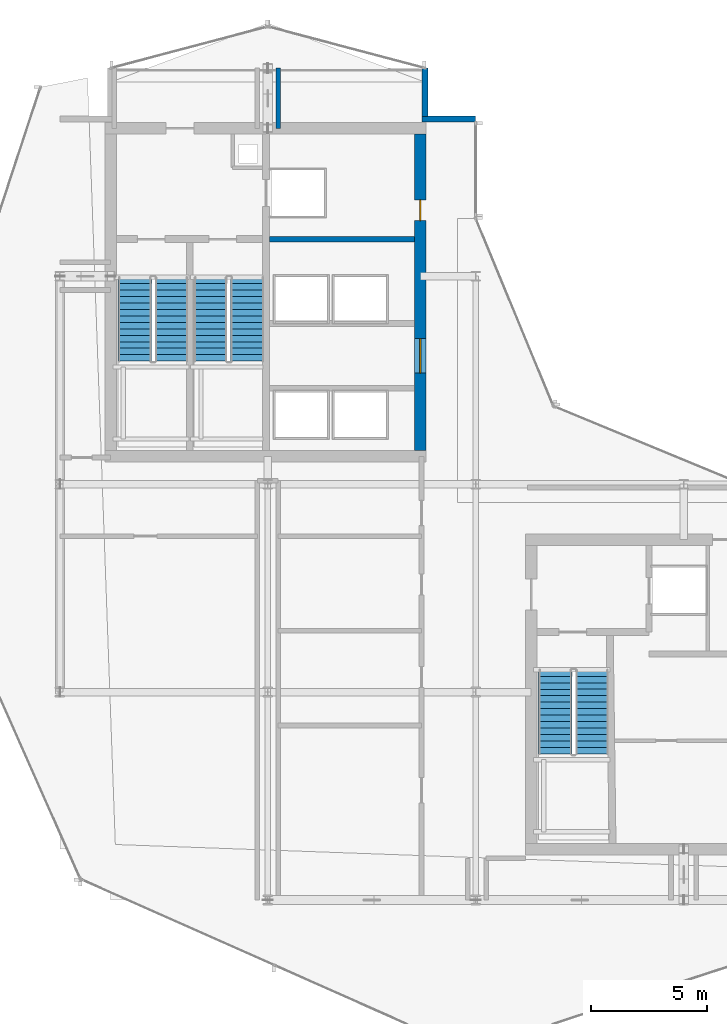
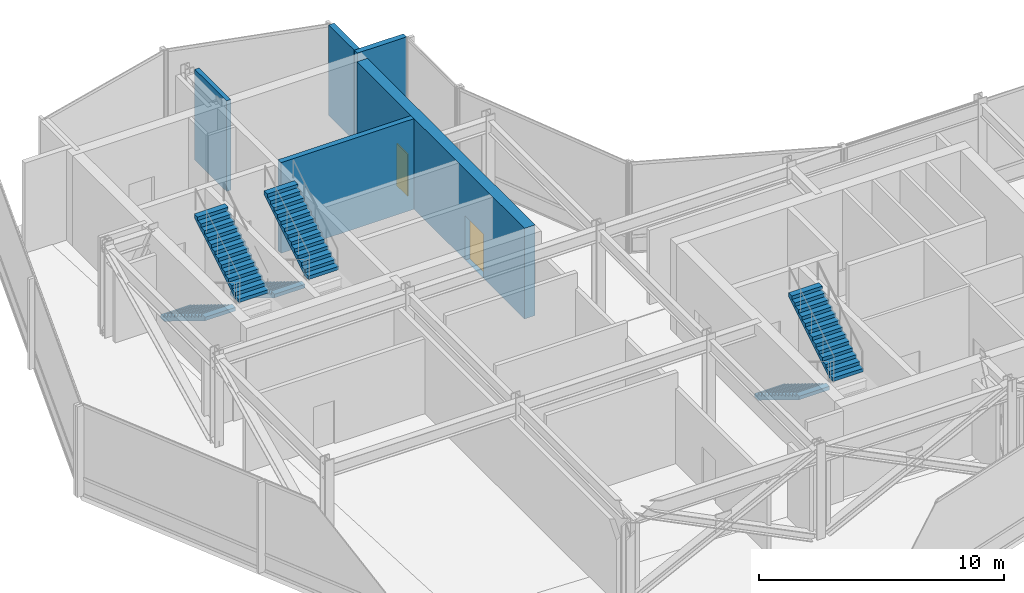
# One storey, part 24 of 30: 6 stair flights, 5 walls, 2 doors, 2 openings, 3 elements without a shape of their own.
"""IFC4 building model written with IfcOpenShell, lengths in metres."""

from ifc_helpers import new_model, si_unit, direction, frame, frame_2d, origin, place, context, subcontext, project, spatial, polyline, rectangle, outline, extrude, material, layer, layer_set, type_object, element, fill, aggregate, save


model = new_model("IFC4")

# Units and contexts
model_context = context("Model", 3, precision=1e-05, world=origin(), true_north=direction((0.0, 1.0)))
body_context = subcontext(model_context, "Body", "Model", "MODEL_VIEW")
ifc_project = project(units=[si_unit("LENGTHUNIT", "METRE"), si_unit("AREAUNIT", "SQUARE_METRE"), si_unit("VOLUMEUNIT", "CUBIC_METRE"), si_unit("PLANEANGLEUNIT", "RADIAN"), si_unit("MASSUNIT", "GRAM", prefix="KILO")], contexts=[model_context])

# Site, building, storey
site_placement = place(None, origin())
site = spatial("IfcSite", under=ifc_project, at=site_placement, CompositionType="ELEMENT")
building_placement = place(site_placement, origin())
building = spatial("IfcBuilding", under=site, at=building_placement, Name="Solvaryn Broadcast Tower", CompositionType="ELEMENT")
storey_placement = place(building_placement, frame((0.0, 0.0, 196.39990234375)))
storey = spatial("IfcBuildingStorey", under=building, at=storey_placement, Name="L49", CompositionType="ELEMENT", Elevation=196.39990234375)

# Wall, openings, doors
ifc_material_1 = material(Name="Concrete f'c 70 MPa", Category="concrete")
ifc_layer_1 = layer(ifc_material_1, 0.5)
ifc_layer_set_1 = layer_set([ifc_layer_1], Name="CW-SHEAR-500")
wall_type_1 = type_object("IfcWallType", Name="CW-SHEAR-500", PredefinedType="SHEAR", material=ifc_layer_set_1)
wall_1_placement = place(storey_placement, frame((24.60009765625, 28.449951171875, 0.0), z_axis=(0.0, 0.0, 1.0), x_axis=(0.0, 1.0, 0.0)))
wall_1 = element("IfcWall", 1, at=wall_1_placement, inside=storey, type_object=wall_type_1, Name="L49 West Core East Shear Wall", PredefinedType="SHEAR", context=body_context, shape_type="SweptSolid", body=[
    extrude(rectangle(XDim=13.699951171875, YDim=0.5, at=frame_2d((6.85009765625, 0.0))), origin(), (0.0, 0.0, 1.0), 4.52001953125),
])
opening_1_placement = place(wall_1_placement, frame((3.35009765625, 0.0, 0.0)))
opening_1 = element("IfcOpeningElement", 2, at=opening_1_placement, cuts=wall_1, Name="Opening FD60A", PredefinedType="OPENING", context=body_context, shape_type="SweptSolid", body=[
    extrude(rectangle(XDim=1.5, YDim=2.199951171875, at=frame_2d((0.75, 1.10009765625))), frame((0.0, 0.260009765625, 0.0), z_axis=(0.0, -1.0, 0.0), x_axis=(1.0, 0.0, 0.0)), (0.0, 0.0, 1.0), 0.52001953125),
])
opening_2_placement = place(wall_1_placement, frame((9.949951171875, 0.0, 0.0)))
opening_2 = element("IfcOpeningElement", 3, at=opening_2_placement, cuts=wall_1, Name="Opening FD60C", PredefinedType="OPENING", context=body_context, shape_type="SweptSolid", body=[
    extrude(rectangle(XDim=0.89990234375, YDim=2.10009765625, at=frame_2d((0.449951171875, 1.050048828125))), frame((0.0, 0.260009765625, 0.0), z_axis=(0.0, -1.0, 0.0), x_axis=(1.0, 0.0, 0.0)), (0.0, 0.0, 1.0), 0.52001953125),
])
ifc_material_2 = material(Name="Flush Acoustic Steel and Timber Door Assembly", Category="steel")
door_type_1 = type_object("IfcDoorType", Name="FD60-CORR-1500X2200", OperationType="NOTDEFINED", PredefinedType="DOOR", material=ifc_material_2)
door_1_placement = place(opening_1_placement, origin())
door_1 = element("IfcDoor", 4, at=door_1_placement, inside=storey, type_object=door_type_1, Name="L49 West Elevator Lobby Corridor Door", OperationType="DOUBLE_DOOR_SINGLE_SWING", OverallHeight=2.199951171875, OverallWidth=1.5, PredefinedType="DOOR", context=body_context, shape_type="SweptSolid", body=[
    extrude(rectangle(XDim=1.5, YDim=2.199951171875, at=frame_2d((0.75, 1.10009765625))), frame((0.0, 0.02490234375, 0.0), z_axis=(0.0, -1.0, 0.0), x_axis=(1.0, 0.0, 0.0)), (0.0, 0.0, 1.0), 0.050048828125),
])
fill(opening_1, door_1)
ifc_material_3 = material(Name="Flush Acoustic Steel and Timber Door Assembly", Category="steel")
door_type_2 = type_object("IfcDoorType", Name="FD60-SERV-900X2100", OperationType="NOTDEFINED", PredefinedType="DOOR", material=ifc_material_3)
door_2_placement = place(opening_2_placement, origin())
door_2 = element("IfcDoor", 5, at=door_2_placement, inside=storey, type_object=door_type_2, Name="L49 West Core Service Door 1", OperationType="SINGLE_SWING_LEFT", OverallHeight=2.10009765625, OverallWidth=0.89990234375, PredefinedType="DOOR", context=body_context, shape_type="SweptSolid", body=[
    extrude(rectangle(XDim=0.89990234375, YDim=2.10009765625, at=frame_2d((0.449951171875, 1.050048828125))), frame((0.0, 0.02490234375, 0.0), z_axis=(0.0, -1.0, 0.0), x_axis=(1.0, 0.0, 0.0)), (0.0, 0.0, 1.0), 0.050048828125),
])
fill(opening_2, door_2)

# Walls
ifc_material_4 = material(Name="Concrete f'c 50 MPa", Category="concrete")
ifc_layer_2 = layer(ifc_material_4, 0.260009765625)
ifc_layer_set_2 = layer_set([ifc_layer_2], Name="EW-PIER-260")
wall_type_2 = type_object("IfcWallType", Name="EW-PIER-260", PredefinedType="SOLIDWALL", material=ifc_layer_set_2)
wall_2_placement = place(storey_placement, frame((24.800048828125, 45.0, 0.0), z_axis=(0.0, 0.0, 1.0), x_axis=(0.0, -1.0, 0.0)))
element("IfcWall", 6, at=wall_2_placement, inside=storey, type_object=wall_type_2, Name="L49 Notched Corner Pier Wall NNE1", PredefinedType="SOLIDWALL", context=body_context, shape_type="SweptSolid", body=[
    extrude(rectangle(XDim=2.080078125, YDim=0.260009765625, at=frame_2d((1.0400390625, 0.0))), origin(), (0.0, 0.0, 1.0), 4.52001953125),
])
wall_3_placement = place(storey_placement, frame((24.679931640625, 42.800048828125, 0.0), z_axis=(0.0, 0.0, 1.0), x_axis=(1.0, 0.0, 0.0)))
element("IfcWall", 7, at=wall_3_placement, inside=storey, type_object=wall_type_2, Name="L49 Notched Corner Pier Wall NNE2", PredefinedType="SOLIDWALL", context=body_context, shape_type="SweptSolid", body=[
    extrude(rectangle(XDim=2.320068359375, YDim=0.260009765625, at=frame_2d((1.16015625, 0.0))), origin(), (0.0, 0.0, 1.0), 4.52001953125),
])
ifc_material_5 = material(Name="Gypsum Fire-Rated Shaftwall Assembly", Category="concrete")
ifc_layer_3 = layer(ifc_material_5, 0.199951171875)
ifc_layer_set_3 = layer_set([ifc_layer_3], Name="IW-RATED-200")
wall_type_3 = type_object("IfcWallType", Name="IW-RATED-200", PredefinedType="PARTITIONING", material=ifc_layer_set_3)
wall_4_placement = place(storey_placement, frame((18.449951171875, 42.39990234375, 0.0), z_axis=(0.0, 0.0, 1.0), x_axis=(0.0, 1.0, 0.0)))
element("IfcWall", 8, at=wall_4_placement, inside=storey, type_object=wall_type_3, Name="L49 Interior Partition IW-L49-MW7E", PredefinedType="PARTITIONING", context=body_context, shape_type="SweptSolid", body=[
    extrude(rectangle(XDim=2.60009765625, YDim=0.199951171875, at=frame_2d((1.300048828125, 0.0))), origin(), (0.0, 0.0, 1.0), 4.52001953125),
])
ifc_material_6 = material(Name="Concrete f'c 60 MPa", Category="concrete")
ifc_layer_4 = layer(ifc_material_6, 0.25)
ifc_layer_set_4 = layer_set([ifc_layer_4], Name="SW-SHAFT-250")
wall_type_4 = type_object("IfcWallType", Name="SW-SHAFT-250", PredefinedType="PARTITIONING", material=ifc_layer_set_4)
wall_5_placement = place(storey_placement, frame((18.070068359375, 37.60009765625, 0.0), z_axis=(0.0, 0.0, 1.0), x_axis=(1.0, 0.0, 0.0)))
element("IfcWall", 9, at=wall_5_placement, inside=storey, type_object=wall_type_4, Name="L49 West Core FSAE Hoistway Front Wall", PredefinedType="PARTITIONING", context=body_context, shape_type="SweptSolid", body=[
    extrude(rectangle(XDim=6.280029296875, YDim=0.25, at=frame_2d((3.14013671875, 0.0))), origin(), (0.0, 0.0, 1.0), 4.52001953125),
])

# Stair, stair flights
ifc_material_7 = material(Name="Concrete f'c 60 MPa", Category="concrete")
stair_type = type_object("IfcStairType", Name="ST-CORE", PredefinedType="HALF_TURN_STAIR", material=ifc_material_7)
stair_1_placement = place(storey_placement, origin())
stair_1 = element("IfcStair", 10, at=stair_1_placement, inside=storey, type_object=stair_type, Name="L49 ST1", PredefinedType="HALF_TURN_STAIR")
ifc_material_8 = material(Name="Concrete f'c 60 MPa", Category="concrete")
ifc_layer_5 = layer(ifc_material_8, 0.159912109375)
ifc_layer_set_5 = layer_set([ifc_layer_5], Name="SF-CORE")
stair_flight_type = type_object("IfcStairFlightType", Name="SF-CORE", PredefinedType="STRAIGHT", material=ifc_layer_set_5)
stair_flight_1_placement = place(storey_placement, frame((12.239990234375, 35.9599609375, 0.0), z_axis=(0.0, 0.0, 1.0), x_axis=(0.0, -1.0, 0.0)))
stair_flight_1 = element("IfcStairFlight", 11, at=stair_flight_1_placement, type_object=stair_flight_type, Name="ST1 flight 1", NumberOfRisers=14, NumberOfTreads=13, PredefinedType="STRAIGHT", RiserHeight=0.171428571, TreadLength=0.28, context=body_context, shape_type="SweptSolid", body=[
    extrude(outline(polyline([(0.0, 0.0), (0.0, 0.17138671875), (0.280029296875, 0.17138671875), (0.280029296875, 0.3427734375), (0.56005859375, 0.3427734375), (0.56005859375, 0.514404296875), (0.840087890625, 0.514404296875), (0.840087890625, 0.685791015625), (1.1201171875, 0.685791015625), (1.1201171875, 0.857177734375), (1.39990234375, 0.857177734375), (1.39990234375, 1.028564453125), (1.679931640625, 1.028564453125), (1.679931640625, 1.199951171875), (1.9599609375, 1.199951171875), (1.9599609375, 1.371337890625), (2.239990234375, 1.371337890625), (2.239990234375, 1.54296875), (2.52001953125, 1.54296875), (2.52001953125, 1.71435546875), (2.800048828125, 1.71435546875), (2.800048828125, 1.8857421875), (3.080078125, 1.8857421875), (3.080078125, 2.05712890625), (3.360107421875, 2.05712890625), (3.360107421875, 2.228515625), (3.639892578125, 2.228515625), (3.639892578125, 2.39990234375), (3.639892578125, 2.052734375), (0.287109375, 0.0), (0.0, 0.0)])), frame((0.0, 0.719970703125, 0.0), z_axis=(0.0, -1.0, 0.0), x_axis=(1.0, 0.0, 0.0)), (0.0, 0.0, 1.0), 1.43994140625),
])
stair_flight_2_placement = place(storey_placement, frame((13.830078125, 32.320068359375, 2.400146484375), z_axis=(0.0, 0.0, 1.0), x_axis=(0.0, 1.0, 0.0)))
stair_flight_2 = element("IfcStairFlight", 12, at=stair_flight_2_placement, type_object=stair_flight_type, Name="ST1 flight 2", NumberOfRisers=14, NumberOfTreads=13, PredefinedType="STRAIGHT", RiserHeight=0.171428571, TreadLength=0.28, context=body_context, shape_type="SweptSolid", body=[
    extrude(outline(polyline([(0.0, 0.0), (0.0, 0.17138671875), (0.280029296875, 0.17138671875), (0.280029296875, 0.3427734375), (0.56005859375, 0.3427734375), (0.56005859375, 0.514404296875), (0.840087890625, 0.514404296875), (0.840087890625, 0.685791015625), (1.1201171875, 0.685791015625), (1.1201171875, 0.857177734375), (1.39990234375, 0.857177734375), (1.39990234375, 1.028564453125), (1.679931640625, 1.028564453125), (1.679931640625, 1.199951171875), (1.9599609375, 1.199951171875), (1.9599609375, 1.371337890625), (2.239990234375, 1.371337890625), (2.239990234375, 1.54296875), (2.52001953125, 1.54296875), (2.52001953125, 1.71435546875), (2.800048828125, 1.71435546875), (2.800048828125, 1.8857421875), (3.080078125, 1.8857421875), (3.080078125, 2.05712890625), (3.360107421875, 2.05712890625), (3.360107421875, 2.228515625), (3.639892578125, 2.228515625), (3.639892578125, 2.39990234375), (3.639892578125, 2.052734375), (0.287109375, 0.0), (0.0, 0.0)])), frame((0.0, 0.719970703125, 0.0), z_axis=(0.0, -1.0, 0.0), x_axis=(1.0, 0.0, 0.0)), (0.0, 0.0, 1.0), 1.43994140625),
])
aggregate(stair_1, [stair_flight_1, stair_flight_2])

stair_2_placement = place(storey_placement, origin())
stair_2 = element("IfcStair", 13, at=stair_2_placement, inside=storey, type_object=stair_type, Name="L49 ST2", PredefinedType="HALF_TURN_STAIR")
stair_flight_3_placement = place(storey_placement, frame((15.52001953125, 35.9599609375, 0.0), z_axis=(0.0, 0.0, 1.0), x_axis=(0.0, -1.0, 0.0)))
stair_flight_3 = element("IfcStairFlight", 14, at=stair_flight_3_placement, type_object=stair_flight_type, Name="ST2 flight 1", NumberOfRisers=14, NumberOfTreads=13, PredefinedType="STRAIGHT", RiserHeight=0.171428571, TreadLength=0.28, context=body_context, shape_type="SweptSolid", body=[
    extrude(outline(polyline([(0.0, 0.0), (0.0, 0.17138671875), (0.280029296875, 0.17138671875), (0.280029296875, 0.3427734375), (0.56005859375, 0.3427734375), (0.56005859375, 0.514404296875), (0.840087890625, 0.514404296875), (0.840087890625, 0.685791015625), (1.1201171875, 0.685791015625), (1.1201171875, 0.857177734375), (1.39990234375, 0.857177734375), (1.39990234375, 1.028564453125), (1.679931640625, 1.028564453125), (1.679931640625, 1.199951171875), (1.9599609375, 1.199951171875), (1.9599609375, 1.371337890625), (2.239990234375, 1.371337890625), (2.239990234375, 1.54296875), (2.52001953125, 1.54296875), (2.52001953125, 1.71435546875), (2.800048828125, 1.71435546875), (2.800048828125, 1.8857421875), (3.080078125, 1.8857421875), (3.080078125, 2.05712890625), (3.360107421875, 2.05712890625), (3.360107421875, 2.228515625), (3.639892578125, 2.228515625), (3.639892578125, 2.39990234375), (3.639892578125, 2.052734375), (0.287109375, 0.0), (0.0, 0.0)])), frame((0.0, 0.719970703125, 0.0), z_axis=(0.0, -1.0, 0.0), x_axis=(1.0, 0.0, 0.0)), (0.0, 0.0, 1.0), 1.43994140625),
])
stair_flight_4_placement = place(storey_placement, frame((17.110107421875, 32.320068359375, 2.400146484375), z_axis=(0.0, 0.0, 1.0), x_axis=(0.0, 1.0, 0.0)))
stair_flight_4 = element("IfcStairFlight", 15, at=stair_flight_4_placement, type_object=stair_flight_type, Name="ST2 flight 2", NumberOfRisers=14, NumberOfTreads=13, PredefinedType="STRAIGHT", RiserHeight=0.171428571, TreadLength=0.28, context=body_context, shape_type="SweptSolid", body=[
    extrude(outline(polyline([(0.0, 0.0), (0.0, 0.17138671875), (0.280029296875, 0.17138671875), (0.280029296875, 0.3427734375), (0.56005859375, 0.3427734375), (0.56005859375, 0.514404296875), (0.840087890625, 0.514404296875), (0.840087890625, 0.685791015625), (1.1201171875, 0.685791015625), (1.1201171875, 0.857177734375), (1.39990234375, 0.857177734375), (1.39990234375, 1.028564453125), (1.679931640625, 1.028564453125), (1.679931640625, 1.199951171875), (1.9599609375, 1.199951171875), (1.9599609375, 1.371337890625), (2.239990234375, 1.371337890625), (2.239990234375, 1.54296875), (2.52001953125, 1.54296875), (2.52001953125, 1.71435546875), (2.800048828125, 1.71435546875), (2.800048828125, 1.8857421875), (3.080078125, 1.8857421875), (3.080078125, 2.05712890625), (3.360107421875, 2.05712890625), (3.360107421875, 2.228515625), (3.639892578125, 2.228515625), (3.639892578125, 2.39990234375), (3.639892578125, 2.052734375), (0.287109375, 0.0), (0.0, 0.0)])), frame((0.0, 0.719970703125, 0.0), z_axis=(0.0, -1.0, 0.0), x_axis=(1.0, 0.0, 0.0)), (0.0, 0.0, 1.0), 1.43994140625),
])
aggregate(stair_2, [stair_flight_3, stair_flight_4])

stair_3_placement = place(storey_placement, origin())
stair_3 = element("IfcStair", 16, at=stair_3_placement, inside=storey, type_object=stair_type, Name="L49 ST3", PredefinedType="HALF_TURN_STAIR")
stair_flight_5_placement = place(storey_placement, frame((30.43994140625, 18.9599609375, 0.0), z_axis=(0.0, 0.0, 1.0), x_axis=(0.0, -1.0, 0.0)))
stair_flight_5 = element("IfcStairFlight", 17, at=stair_flight_5_placement, type_object=stair_flight_type, Name="ST3 flight 1", NumberOfRisers=14, NumberOfTreads=13, PredefinedType="STRAIGHT", RiserHeight=0.171428571, TreadLength=0.28, context=body_context, shape_type="SweptSolid", body=[
    extrude(outline(polyline([(0.0, 0.0), (0.0, 0.17138671875), (0.280029296875, 0.17138671875), (0.280029296875, 0.3427734375), (0.56005859375, 0.3427734375), (0.56005859375, 0.514404296875), (0.840087890625, 0.514404296875), (0.840087890625, 0.685791015625), (1.1201171875, 0.685791015625), (1.1201171875, 0.857177734375), (1.39990234375, 0.857177734375), (1.39990234375, 1.028564453125), (1.679931640625, 1.028564453125), (1.679931640625, 1.199951171875), (1.9599609375, 1.199951171875), (1.9599609375, 1.371337890625), (2.239990234375, 1.371337890625), (2.239990234375, 1.54296875), (2.52001953125, 1.54296875), (2.52001953125, 1.71435546875), (2.800048828125, 1.71435546875), (2.800048828125, 1.8857421875), (3.080078125, 1.8857421875), (3.080078125, 2.05712890625), (3.360107421875, 2.05712890625), (3.360107421875, 2.228515625), (3.639892578125, 2.228515625), (3.639892578125, 2.39990234375), (3.639892578125, 2.052734375), (0.287109375, 0.0), (0.0, 0.0)])), frame((0.0, 0.719970703125, 0.0), z_axis=(0.0, -1.0, 0.0), x_axis=(1.0, 0.0, 0.0)), (0.0, 0.0, 1.0), 1.43994140625),
])
stair_flight_6_placement = place(storey_placement, frame((32.030029296875, 15.320068359375, 2.400146484375), z_axis=(0.0, 0.0, 1.0), x_axis=(0.0, 1.0, 0.0)))
stair_flight_6 = element("IfcStairFlight", 18, at=stair_flight_6_placement, type_object=stair_flight_type, Name="ST3 flight 2", NumberOfRisers=14, NumberOfTreads=13, PredefinedType="STRAIGHT", RiserHeight=0.171428571, TreadLength=0.28, context=body_context, shape_type="SweptSolid", body=[
    extrude(outline(polyline([(0.0, 0.0), (0.0, 0.17138671875), (0.280029296875, 0.17138671875), (0.280029296875, 0.3427734375), (0.56005859375, 0.3427734375), (0.56005859375, 0.514404296875), (0.840087890625, 0.514404296875), (0.840087890625, 0.685791015625), (1.1201171875, 0.685791015625), (1.1201171875, 0.857177734375), (1.39990234375, 0.857177734375), (1.39990234375, 1.028564453125), (1.679931640625, 1.028564453125), (1.679931640625, 1.199951171875), (1.9599609375, 1.199951171875), (1.9599609375, 1.371337890625), (2.239990234375, 1.371337890625), (2.239990234375, 1.54296875), (2.52001953125, 1.54296875), (2.52001953125, 1.71435546875), (2.800048828125, 1.71435546875), (2.800048828125, 1.8857421875), (3.080078125, 1.8857421875), (3.080078125, 2.05712890625), (3.360107421875, 2.05712890625), (3.360107421875, 2.228515625), (3.639892578125, 2.228515625), (3.639892578125, 2.39990234375), (3.639892578125, 2.052734375), (0.287109375, 0.0), (0.0, 0.0)])), frame((0.0, 0.719970703125, 0.0), z_axis=(0.0, -1.0, 0.0), x_axis=(1.0, 0.0, 0.0)), (0.0, 0.0, 1.0), 1.43994140625),
])
aggregate(stair_3, [stair_flight_5, stair_flight_6])

save(model, "model.ifc")
